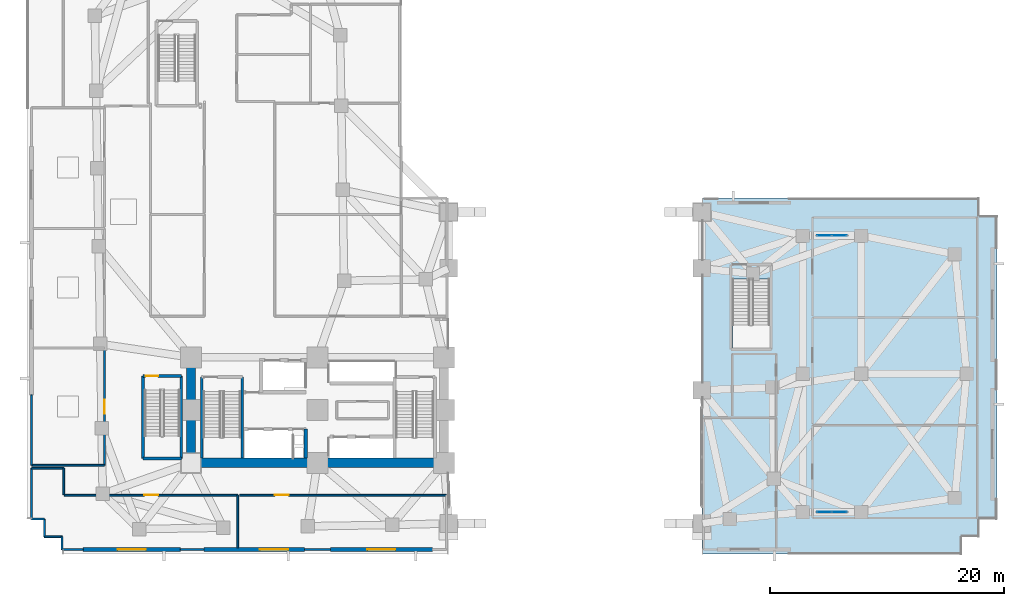
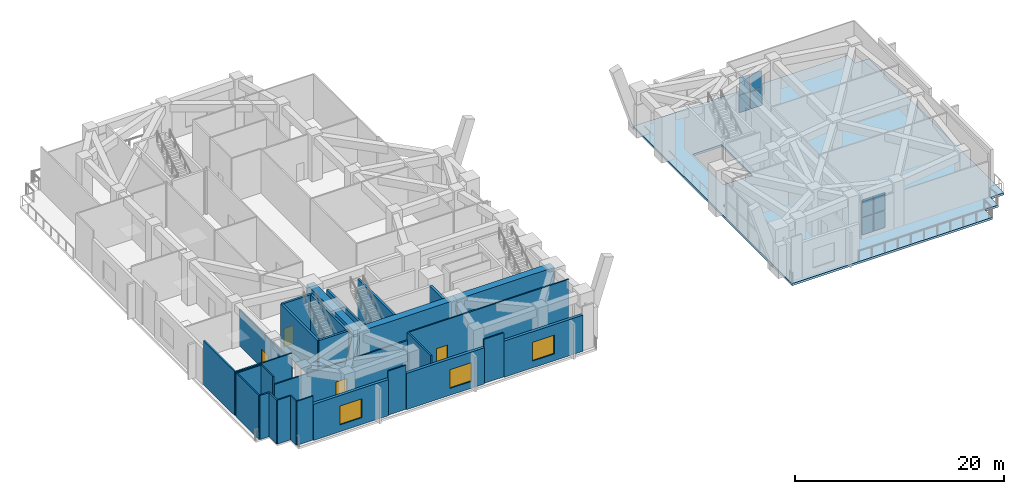
# One storey, part 7 of 18: 29 walls, 8 plates, 4 doors, 3 windows, 1 slab, 7 openings, 2 elements without a shape of their own.
"""IFC4 building model written with IfcOpenShell, lengths in metres."""

from ifc_helpers import new_model, si_unit, direction, frame, frame_2d, origin, origin_2d, place, context, subcontext, project, spatial, polyline, rectangle, outline, extrude, material, layer, layer_set, type_object, element, fill, aggregate, save


model = new_model("IFC4")

# Units and contexts
model_context = context("Model", 3, precision=1e-05, world=origin(), true_north=direction((0.0, 1.0)))
body_context = subcontext(model_context, "Body", "Model", "MODEL_VIEW")
ifc_project = project(units=[si_unit("LENGTHUNIT", "METRE"), si_unit("AREAUNIT", "SQUARE_METRE"), si_unit("VOLUMEUNIT", "CUBIC_METRE"), si_unit("PLANEANGLEUNIT", "RADIAN"), si_unit("MASSUNIT", "GRAM", prefix="KILO")], contexts=[model_context])

# Site, building, storey
site_placement = place(None, origin())
site = spatial("IfcSite", under=ifc_project, at=site_placement, CompositionType="ELEMENT")
building_placement = place(site_placement, origin())
building = spatial("IfcBuilding", under=site, at=building_placement, Name="Gaonmaruhae Medical Tower", CompositionType="ELEMENT")
storey_placement = place(building_placement, frame((0.0, 0.0, 5.39990234375)))
storey = spatial("IfcBuildingStorey", under=building, at=storey_placement, Name="L01", CompositionType="ELEMENT", Elevation=5.39990234375)

# Curtain wall, plates
ifc_material_1 = material(Name="Anodised aluminium and Low-E double glazing", Category="aluminium")
curtain_wall_type = type_object("IfcCurtainWallType", Name="CW-S6 Podium Diagnostic Atrium Curtain Wall", PredefinedType="NOTDEFINED", material=ifc_material_1)
curtain_wall_1_placement = place(storey_placement, origin())
curtain_wall_1 = element("IfcCurtainWall", 1, at=curtain_wall_1_placement, inside=storey, type_object=curtain_wall_type, Name="L01 Curtain Wall CW-L01-S6A", PredefinedType="NOTDEFINED")
ifc_material_2 = material(Name="Low-E double solar glass", Category="glass")
ifc_layer_1 = layer(ifc_material_2, 0.028076171875)
ifc_layer_set_1 = layer_set([ifc_layer_1], Name="Low-E double solar glass")
plate_type = type_object("IfcPlateType", Name="CWP-V1 Low-E Double Vision Glazing Panel", PredefinedType="CURTAIN_PANEL", material=ifc_layer_set_1)
plate_1_placement = place(storey_placement, frame((68.052734375, 27.199951171875, 0.0751953125), z_axis=(0.0, 0.0, 1.0), x_axis=(1.0, 0.0, 0.0)))
plate_1 = element("IfcPlate", 2, at=plate_1_placement, type_object=plate_type, Name="CW-S6 panel 1.1", PredefinedType="CURTAIN_PANEL", context=body_context, shape_type="SweptSolid", body=[
    extrude(rectangle(XDim=1.229248046875, YDim=0.028076171875, at=origin_2d()), origin(), (0.0, 0.0, 1.0), 2.00244140625),
])
plate_2_placement = place(storey_placement, frame((68.052734375, 27.199951171875, 2.152587890625), z_axis=(0.0, 0.0, 1.0), x_axis=(1.0, 0.0, 0.0)))
plate_2 = element("IfcPlate", 3, at=plate_2_placement, type_object=plate_type, Name="CW-S6 panel 1.2", PredefinedType="CURTAIN_PANEL", context=body_context, shape_type="SweptSolid", body=[
    extrude(rectangle(XDim=1.229248046875, YDim=0.028076171875, at=origin_2d()), origin(), (0.0, 0.0, 1.0), 2.00244140625),
])
plate_3_placement = place(storey_placement, frame((69.34716796875, 27.199951171875, 0.0751953125), z_axis=(0.0, 0.0, 1.0), x_axis=(1.0, 0.0, 0.0)))
plate_3 = element("IfcPlate", 4, at=plate_3_placement, type_object=plate_type, Name="CW-S6 panel 2.1", PredefinedType="CURTAIN_PANEL", context=body_context, shape_type="SweptSolid", body=[
    extrude(rectangle(XDim=1.229248046875, YDim=0.028076171875, at=origin_2d()), origin(), (0.0, 0.0, 1.0), 2.00244140625),
])
plate_4_placement = place(storey_placement, frame((69.34716796875, 27.199951171875, 2.152587890625), z_axis=(0.0, 0.0, 1.0), x_axis=(1.0, 0.0, 0.0)))
plate_4 = element("IfcPlate", 5, at=plate_4_placement, type_object=plate_type, Name="CW-S6 panel 2.2", PredefinedType="CURTAIN_PANEL", context=body_context, shape_type="SweptSolid", body=[
    extrude(rectangle(XDim=1.229248046875, YDim=0.028076171875, at=origin_2d()), origin(), (0.0, 0.0, 1.0), 2.00244140625),
])
aggregate(curtain_wall_1, [plate_1, plate_2, plate_3, plate_4])

curtain_wall_2_placement = place(storey_placement, origin())
curtain_wall_2 = element("IfcCurtainWall", 6, at=curtain_wall_2_placement, inside=storey, type_object=curtain_wall_type, Name="L01 Curtain Wall CW-L01-S6B", PredefinedType="NOTDEFINED")
plate_5_placement = place(storey_placement, frame((68.052734375, 3.60009765625, 0.0751953125), z_axis=(0.0, 0.0, 1.0), x_axis=(1.0, 0.0, 0.0)))
plate_5 = element("IfcPlate", 7, at=plate_5_placement, type_object=plate_type, Name="CW-S6 panel 1.1", PredefinedType="CURTAIN_PANEL", context=body_context, shape_type="SweptSolid", body=[
    extrude(rectangle(XDim=1.229248046875, YDim=0.028076171875, at=origin_2d()), origin(), (0.0, 0.0, 1.0), 2.00244140625),
])
plate_6_placement = place(storey_placement, frame((68.052734375, 3.60009765625, 2.152587890625), z_axis=(0.0, 0.0, 1.0), x_axis=(1.0, 0.0, 0.0)))
plate_6 = element("IfcPlate", 8, at=plate_6_placement, type_object=plate_type, Name="CW-S6 panel 1.2", PredefinedType="CURTAIN_PANEL", context=body_context, shape_type="SweptSolid", body=[
    extrude(rectangle(XDim=1.229248046875, YDim=0.028076171875, at=origin_2d()), origin(), (0.0, 0.0, 1.0), 2.00244140625),
])
plate_7_placement = place(storey_placement, frame((69.34716796875, 3.60009765625, 0.0751953125), z_axis=(0.0, 0.0, 1.0), x_axis=(1.0, 0.0, 0.0)))
plate_7 = element("IfcPlate", 9, at=plate_7_placement, type_object=plate_type, Name="CW-S6 panel 2.1", PredefinedType="CURTAIN_PANEL", context=body_context, shape_type="SweptSolid", body=[
    extrude(rectangle(XDim=1.229248046875, YDim=0.028076171875, at=origin_2d()), origin(), (0.0, 0.0, 1.0), 2.00244140625),
])
plate_8_placement = place(storey_placement, frame((69.34716796875, 3.60009765625, 2.152587890625), z_axis=(0.0, 0.0, 1.0), x_axis=(1.0, 0.0, 0.0)))
plate_8 = element("IfcPlate", 10, at=plate_8_placement, type_object=plate_type, Name="CW-S6 panel 2.2", PredefinedType="CURTAIN_PANEL", context=body_context, shape_type="SweptSolid", body=[
    extrude(rectangle(XDim=1.229248046875, YDim=0.028076171875, at=origin_2d()), origin(), (0.0, 0.0, 1.0), 2.00244140625),
])
aggregate(curtain_wall_2, [plate_5, plate_6, plate_7, plate_8])

# Slab
ifc_material_3 = material(Name="Concrete C40/50", Category="concrete")
ifc_layer_2 = layer(ifc_material_3, 0.25)
ifc_layer_set_2 = layer_set([ifc_layer_2], Name="Concrete C40/50")
slab_type = type_object("IfcSlabType", Name="FS-250 Podium & Basement Floor Slab", PredefinedType="FLOOR", material=ifc_layer_set_2)
slab_placement = place(storey_placement, frame((0.0, 0.0, -0.25)))
element("IfcSlab", 11, at=slab_placement, inside=storey, type_object=slab_type, Name="L01 Structural Slab 2", PredefinedType="FLOOR", context=body_context, shape_type="SweptSolid", body=[
    extrude(outline(polyline([(81.300048828125, 30.39990234375), (81.300048828125, 28.89990234375), (82.800048828125, 28.89990234375), (82.800048828125, 3.0), (81.300048828125, 3.0), (81.300048828125, 1.5), (79.800048828125, 1.5), (79.800048828125, 0.0), (57.60009765625, 0.0), (57.60009765625, 30.39990234375), (81.300048828125, 30.39990234375)]), holes=[polyline([(63.39990234375, 23.489990234375), (63.39990234375, 17.60009765625), (60.199951171875, 17.60009765625), (60.199951171875, 23.489990234375), (63.39990234375, 23.489990234375)])]), origin(), (0.0, 0.0, 1.0), 0.25),
])

# Walls
ifc_material_4 = material(Name="Concrete C60/75", Category="concrete")
ifc_layer_3 = layer(ifc_material_4, 0.800048828125)
ifc_layer_set_3 = layer_set([ifc_layer_3], Name="Concrete C60/75")
wall_type_1 = type_object("IfcWallType", Name="CW-800 Lower Core Shear Wall", PredefinedType="SHEAR", material=ifc_layer_set_3)
for number, where, z_axis, x_axis, name in (
    (12, (14.0, 7.800048828125, 0.0), (0.0, 0.0, 1.0), (1.0, 0.0, 0.0), "L01 Core Shear Wall CSW-S1"),
    (13, (24.800048828125, 7.800048828125, 0.0), (0.0, 0.0, 1.0), (1.0, 0.0, 0.0), "L01 Core Shear Wall CSW-S2"),
):
    element("IfcWall", number, at=place(storey_placement, frame(where, z_axis=z_axis, x_axis=x_axis)), inside=storey, type_object=wall_type_1, Name=name, PredefinedType="SHEAR", context=body_context, shape_type="SweptSolid", body=[
        extrude(rectangle(XDim=10.800048828125, YDim=0.800048828125, at=frame_2d((5.39990234375, 0.0))), origin(), (0.0, 0.0, 1.0), 5.150146484375),
    ])
wall_1_placement = place(storey_placement, frame((14.0, 16.800048828125, 0.0), z_axis=(0.0, 0.0, 1.0), x_axis=(0.0, -1.0, 0.0)))
element("IfcWall", 14, at=wall_1_placement, inside=storey, type_object=wall_type_1, Name="L01 Core Shear Wall CSW-W1", PredefinedType="SHEAR", context=body_context, shape_type="SweptSolid", body=[
    extrude(rectangle(XDim=9.0, YDim=0.800048828125, at=frame_2d((4.5, 0.0))), origin(), (0.0, 0.0, 1.0), 5.150146484375),
])

# Wall, opening, window
ifc_material_5 = material(Name="Precast concrete C45/55", Category="concrete")
ifc_layer_4 = layer(ifc_material_5, 0.320068359375)
ifc_layer_set_4 = layer_set([ifc_layer_4], Name="Precast concrete C45/55")
wall_type_2 = type_object("IfcWallType", Name="EW-320 Lower Precast Masonry-Frame Facade Wall", PredefinedType="SOLIDWALL", material=ifc_layer_set_4)
wall_2_placement = place(storey_placement, frame((13.10009765625, 0.39990234375, 0.0), z_axis=(0.0, 0.0, 1.0), x_axis=(-1.0, 0.0, 0.0)))
wall_2 = element("IfcWall", 15, at=wall_2_placement, inside=storey, type_object=wall_type_2, Name="L01 Precast Facade Wall PB-S1", PredefinedType="SOLIDWALL", context=body_context, shape_type="SweptSolid", body=[
    extrude(rectangle(XDim=8.300048828125, YDim=0.320068359375, at=frame_2d((4.14990234375, 0.0))), origin(), (0.0, 0.0, 1.0), 4.22998046875),
])
opening_1_placement = place(wall_2_placement, frame((2.949951171875, 0.0, 0.800048828125)))
opening_1 = element("IfcOpeningElement", 16, at=opening_1_placement, cuts=wall_2, Name="Opening WN-06", PredefinedType="OPENING", context=body_context, shape_type="SweptSolid", body=[
    extrude(rectangle(XDim=2.39990234375, YDim=2.199951171875, at=frame_2d((1.199951171875, 1.10009765625))), frame((0.0, 0.169921875, 0.0), z_axis=(0.0, -1.0, 0.0), x_axis=(1.0, 0.0, 0.0)), (0.0, 0.0, 1.0), 0.340087890625),
])
window_type = type_object("IfcWindowType", Name="WN-06 Podium Diagnostic Punched Window 2400x2200", PartitioningType="SINGLE_PANEL", PredefinedType="WINDOW", material=ifc_material_1)
window_1_placement = place(opening_1_placement, origin())
window_1 = element("IfcWindow", 17, at=window_1_placement, inside=storey, type_object=window_type, Name="L01 Podium Punched Window PB-S1", OverallHeight=2.199951171875, OverallWidth=2.39990234375, PartitioningType="SINGLE_PANEL", PredefinedType="WINDOW", context=body_context, shape_type="SweptSolid", body=[
    extrude(rectangle(XDim=2.39990234375, YDim=2.199951171875, at=frame_2d((1.199951171875, 1.10009765625))), frame((0.0, 0.030029296875, 0.0), z_axis=(0.0, -1.0, 0.0), x_axis=(1.0, 0.0, 0.0)), (0.0, 0.0, 1.0), 0.06005859375),
])
fill(opening_1, window_1)

wall_3_placement = place(storey_placement, frame((23.699951171875, 0.39990234375, 0.0), z_axis=(0.0, 0.0, 1.0), x_axis=(-1.0, 0.0, 0.0)))
wall_3 = element("IfcWall", 18, at=wall_3_placement, inside=storey, type_object=wall_type_2, Name="L01 Precast Facade Wall PB-S2", PredefinedType="SOLIDWALL", context=body_context, shape_type="SweptSolid", body=[
    extrude(rectangle(XDim=8.599853515625, YDim=0.320068359375, at=frame_2d((4.2998046875, 0.0))), origin(), (0.0, 0.0, 1.0), 4.22998046875),
])
opening_2_placement = place(wall_3_placement, frame((1.409912109375, 0.0, 0.800048828125)))
opening_2 = element("IfcOpeningElement", 19, at=opening_2_placement, cuts=wall_3, Name="Opening WN-06", PredefinedType="OPENING", context=body_context, shape_type="SweptSolid", body=[
    extrude(rectangle(XDim=2.39990234375, YDim=2.199951171875, at=frame_2d((1.199951171875, 1.10009765625))), frame((0.0, 0.169921875, 0.0), z_axis=(0.0, -1.0, 0.0), x_axis=(1.0, 0.0, 0.0)), (0.0, 0.0, 1.0), 0.340087890625),
])
window_2_placement = place(opening_2_placement, origin())
window_2 = element("IfcWindow", 20, at=window_2_placement, inside=storey, type_object=window_type, Name="L01 Podium Punched Window PB-S2", OverallHeight=2.199951171875, OverallWidth=2.39990234375, PartitioningType="SINGLE_PANEL", PredefinedType="WINDOW", context=body_context, shape_type="SweptSolid", body=[
    extrude(rectangle(XDim=2.39990234375, YDim=2.199951171875, at=frame_2d((1.199951171875, 1.10009765625))), frame((0.0, 0.030029296875, 0.0), z_axis=(0.0, -1.0, 0.0), x_axis=(1.0, 0.0, 0.0)), (0.0, 0.0, 1.0), 0.06005859375),
])
fill(opening_2, window_2)

wall_4_placement = place(storey_placement, frame((34.60009765625, 0.39990234375, 0.0), z_axis=(0.0, 0.0, 1.0), x_axis=(-1.0, 0.0, 0.0)))
wall_4 = element("IfcWall", 21, at=wall_4_placement, inside=storey, type_object=wall_type_2, Name="L01 Precast Facade Wall PB-S3", PredefinedType="SOLIDWALL", context=body_context, shape_type="SweptSolid", body=[
    extrude(rectangle(XDim=8.7001953125, YDim=0.320068359375, at=frame_2d((4.35009765625, 0.0))), origin(), (0.0, 0.0, 1.0), 4.22998046875),
])
opening_3_placement = place(wall_4_placement, frame((3.14990234375, 0.0, 0.800048828125)))
opening_3 = element("IfcOpeningElement", 22, at=opening_3_placement, cuts=wall_4, Name="Opening WN-06", PredefinedType="OPENING", context=body_context, shape_type="SweptSolid", body=[
    extrude(rectangle(XDim=2.39990234375, YDim=2.199951171875, at=frame_2d((1.199951171875, 1.10009765625))), frame((0.0, 0.169921875, 0.0), z_axis=(0.0, -1.0, 0.0), x_axis=(1.0, 0.0, 0.0)), (0.0, 0.0, 1.0), 0.340087890625),
])
window_3_placement = place(opening_3_placement, origin())
window_3 = element("IfcWindow", 23, at=window_3_placement, inside=storey, type_object=window_type, Name="L01 Podium Punched Window PB-S3", OverallHeight=2.199951171875, OverallWidth=2.39990234375, PartitioningType="SINGLE_PANEL", PredefinedType="WINDOW", context=body_context, shape_type="SweptSolid", body=[
    extrude(rectangle(XDim=2.39990234375, YDim=2.199951171875, at=frame_2d((1.199951171875, 1.10009765625))), frame((0.0, 0.030029296875, 0.0), z_axis=(0.0, -1.0, 0.0), x_axis=(1.0, 0.0, 0.0)), (0.0, 0.0, 1.0), 0.06005859375),
])
fill(opening_3, window_3)

# Wall, opening, door
ifc_material_6 = material(Name="Gypsum board partition", Category="gypsum")
ifc_layer_5 = layer(ifc_material_6, 0.14990234375)
ifc_layer_set_5 = layer_set([ifc_layer_5], Name="Gypsum board partition")
wall_type_3 = type_object("IfcWallType", Name="PW-150 Rated Clinical Corridor Partition", PredefinedType="PARTITIONING", material=ifc_layer_set_5)
wall_5_placement = place(storey_placement, frame((6.6201171875, 17.60009765625, 0.0), z_axis=(0.0, 0.0, 1.0), x_axis=(0.0, -1.0, 0.0)))
wall_5 = element("IfcWall", 24, at=wall_5_placement, inside=storey, type_object=wall_type_3, Name="L01 Interior Partition L01-WP1-6", PredefinedType="PARTITIONING", context=body_context, shape_type="SweptSolid", body=[
    extrude(rectangle(XDim=10.0, YDim=0.14990234375, at=frame_2d((5.0, 0.0))), origin(), (0.0, 0.0, 1.0), 4.235107421875),
])
opening_4_placement = place(wall_5_placement, frame((4.39990234375, 0.0, 0.0)))
opening_4 = element("IfcOpeningElement", 25, at=opening_4_placement, cuts=wall_5, Name="Opening CD-02", PredefinedType="OPENING", context=body_context, shape_type="SweptSolid", body=[
    extrude(rectangle(XDim=1.199951171875, YDim=2.14990234375, at=frame_2d((0.60009765625, 1.074951171875))), frame((0.0, 0.0849609375, 0.0), z_axis=(0.0, -1.0, 0.0), x_axis=(1.0, 0.0, 0.0)), (0.0, 0.0, 1.0), 0.169921875),
])
ifc_material_7 = material(Name="Antimicrobial laminate timber fire door", Category="wood")
door_type_1 = type_object("IfcDoorType", Name="CD-02 Clinical Treatment & Procedure Door 1200x2150", OperationType="NOTDEFINED", PredefinedType="DOOR", material=ifc_material_7)
door_1_placement = place(opening_4_placement, origin())
door_1 = element("IfcDoor", 26, at=door_1_placement, inside=storey, type_object=door_type_1, Name="L01 L01 Outpatient Consultation Clinic A Door", OperationType="SINGLE_SWING_LEFT", OverallHeight=2.14990234375, OverallWidth=1.199951171875, PredefinedType="DOOR", context=body_context, shape_type="SweptSolid", body=[
    extrude(rectangle(XDim=1.199951171875, YDim=2.14990234375, at=frame_2d((0.60009765625, 1.074951171875))), frame((0.0, 0.02490234375, 0.0), z_axis=(0.0, -1.0, 0.0), x_axis=(1.0, 0.0, 0.0)), (0.0, 0.0, 1.0), 0.050048828125),
])
fill(opening_4, door_1)

# Walls
wall_6_placement = place(storey_placement, frame((6.6201171875, 7.60009765625, 0.0), z_axis=(0.0, 0.0, 1.0), x_axis=(-1.0, 0.0, 0.0)))
element("IfcWall", 27, at=wall_6_placement, inside=storey, type_object=wall_type_3, Name="L01 Interior Partition L01-WP1-7", PredefinedType="PARTITIONING", context=body_context, shape_type="SweptSolid", body=[
    extrude(rectangle(XDim=6.22021484375, YDim=0.14990234375, at=frame_2d((3.110107421875, 0.0))), origin(), (0.0, 0.0, 1.0), 5.150146484375),
])
wall_7_placement = place(storey_placement, frame((0.39990234375, 7.60009765625, 0.0), z_axis=(0.0, 0.0, 1.0), x_axis=(0.0, 1.0, 0.0)))
element("IfcWall", 28, at=wall_7_placement, inside=storey, type_object=wall_type_3, Name="L01 Interior Partition L01-WP1-8", PredefinedType="PARTITIONING", context=body_context, shape_type="SweptSolid", body=[
    extrude(rectangle(XDim=6.0, YDim=0.14990234375, at=frame_2d((3.0, 0.0))), origin(), (0.0, 0.0, 1.0), 5.150146484375),
])

# Wall, opening, door
wall_8_placement = place(storey_placement, frame((3.199951171875, 5.0400390625, 0.0), z_axis=(0.0, 0.0, 1.0), x_axis=(1.0, 0.0, 0.0)))
wall_8 = element("IfcWall", 29, at=wall_8_placement, inside=storey, type_object=wall_type_3, Name="L01 Interior Partition L01-D1-37", PredefinedType="PARTITIONING", context=body_context, shape_type="SweptSolid", body=[
    extrude(rectangle(XDim=14.800048828125, YDim=0.14990234375, at=frame_2d((7.39990234375, 0.0))), origin(), (0.0, 0.0, 1.0), 4.235107421875),
])
opening_5_placement = place(wall_8_placement, frame((6.800048828125, 0.0, 0.0)))
opening_5 = element("IfcOpeningElement", 30, at=opening_5_placement, cuts=wall_8, Name="Opening CD-02", PredefinedType="OPENING", context=body_context, shape_type="SweptSolid", body=[
    extrude(rectangle(XDim=1.199951171875, YDim=2.14990234375, at=frame_2d((0.60009765625, 1.074951171875))), frame((0.0, 0.0849609375, 0.0), z_axis=(0.0, -1.0, 0.0), x_axis=(1.0, 0.0, 0.0)), (0.0, 0.0, 1.0), 0.169921875),
])
door_2_placement = place(opening_5_placement, origin())
door_2 = element("IfcDoor", 31, at=door_2_placement, inside=storey, type_object=door_type_1, Name="L01 Diagnostic MRI Imaging Suite Door", OperationType="SINGLE_SWING_LEFT", OverallHeight=2.14990234375, OverallWidth=1.199951171875, PredefinedType="DOOR", context=body_context, shape_type="SweptSolid", body=[
    extrude(rectangle(XDim=1.199951171875, YDim=2.14990234375, at=frame_2d((0.60009765625, 1.074951171875))), frame((0.0, 0.02490234375, 0.0), z_axis=(0.0, -1.0, 0.0), x_axis=(1.0, 0.0, 0.0)), (0.0, 0.0, 1.0), 0.050048828125),
])
fill(opening_5, door_2)

# Walls
wall_9_placement = place(storey_placement, frame((18.0, 5.0400390625, 0.0), z_axis=(0.0, 0.0, 1.0), x_axis=(0.0, -1.0, 0.0)))
element("IfcWall", 32, at=wall_9_placement, inside=storey, type_object=wall_type_3, Name="L01 Interior Partition L01-D1-38", PredefinedType="PARTITIONING", context=body_context, shape_type="SweptSolid", body=[
    extrude(rectangle(XDim=4.505126953125, YDim=0.14990234375, at=frame_2d((2.25244140625, 0.0))), origin(), (0.0, 0.0, 1.0), 5.150146484375),
])
wall_10_placement = place(storey_placement, frame((15.10009765625, 0.39990234375, 0.0), z_axis=(0.0, 0.0, 1.0), x_axis=(-1.0, 0.0, 0.0)))
element("IfcWall", 33, at=wall_10_placement, inside=storey, type_object=wall_type_3, Name="L01 Interior Partition L01-D1-39", PredefinedType="PARTITIONING", context=body_context, shape_type="SweptSolid", body=[
    extrude(rectangle(XDim=2.0, YDim=0.14990234375, at=frame_2d((1.0, 0.0))), origin(), (0.0, 0.0, 1.0), 5.150146484375),
])
wall_11_placement = place(storey_placement, frame((4.800048828125, 0.39990234375, 0.0), z_axis=(0.0, 0.0, 1.0), x_axis=(-1.0, 0.0, 0.0)))
element("IfcWall", 34, at=wall_11_placement, inside=storey, type_object=wall_type_3, Name="L01 Interior Partition L01-D1-40", PredefinedType="PARTITIONING", context=body_context, shape_type="SweptSolid", body=[
    extrude(rectangle(XDim=1.800048828125, YDim=0.14990234375, at=frame_2d((0.89990234375, 0.0))), origin(), (0.0, 0.0, 1.0), 5.150146484375),
])
wall_12_placement = place(storey_placement, frame((3.0, 0.39990234375, 0.0), z_axis=(0.0, 0.0, 1.0), x_axis=(0.0, 1.0, 0.0)))
element("IfcWall", 35, at=wall_12_placement, inside=storey, type_object=wall_type_3, Name="L01 Interior Partition L01-D1-41", PredefinedType="PARTITIONING", context=body_context, shape_type="SweptSolid", body=[
    extrude(rectangle(XDim=1.10009765625, YDim=0.14990234375, at=frame_2d((0.550048828125, 0.0))), origin(), (0.0, 0.0, 1.0), 5.150146484375),
])
for number, where, z_axis, x_axis, name in (
    (36, (3.0, 1.5, 0.0), (0.0, 0.0, 1.0), (-1.0, 0.0, 0.0), "L01 Interior Partition L01-D1-42"),
    (37, (1.5, 1.5, 0.0), (0.0, 0.0, 1.0), (0.0, 1.0, 0.0), "L01 Interior Partition L01-D1-43"),
):
    element("IfcWall", number, at=place(storey_placement, frame(where, z_axis=z_axis, x_axis=x_axis)), inside=storey, type_object=wall_type_3, Name=name, PredefinedType="PARTITIONING", context=body_context, shape_type="SweptSolid", body=[
        extrude(rectangle(XDim=1.5, YDim=0.14990234375, at=frame_2d((0.75, 0.0))), origin(), (0.0, 0.0, 1.0), 5.150146484375),
    ])
wall_13_placement = place(storey_placement, frame((1.5, 3.0, 0.0), z_axis=(0.0, 0.0, 1.0), x_axis=(-1.0, 0.0, 0.0)))
element("IfcWall", 38, at=wall_13_placement, inside=storey, type_object=wall_type_3, Name="L01 Interior Partition L01-D1-44", PredefinedType="PARTITIONING", context=body_context, shape_type="SweptSolid", body=[
    extrude(rectangle(XDim=1.10009765625, YDim=0.14990234375, at=frame_2d((0.550048828125, 0.0))), origin(), (0.0, 0.0, 1.0), 5.150146484375),
])
wall_14_placement = place(storey_placement, frame((0.39990234375, 3.0, 0.0), z_axis=(0.0, 0.0, 1.0), x_axis=(0.0, 1.0, 0.0)))
element("IfcWall", 39, at=wall_14_placement, inside=storey, type_object=wall_type_3, Name="L01 Interior Partition L01-D1-45", PredefinedType="PARTITIONING", context=body_context, shape_type="SweptSolid", body=[
    extrude(rectangle(XDim=4.35009765625, YDim=0.14990234375, at=frame_2d((2.175048828125, 0.0))), origin(), (0.0, 0.0, 1.0), 5.150146484375),
])
wall_15_placement = place(storey_placement, frame((0.39990234375, 7.35009765625, 0.0), z_axis=(0.0, 0.0, 1.0), x_axis=(1.0, 0.0, 0.0)))
element("IfcWall", 40, at=wall_15_placement, inside=storey, type_object=wall_type_3, Name="L01 Interior Partition L01-D1-46", PredefinedType="PARTITIONING", context=body_context, shape_type="SweptSolid", body=[
    extrude(rectangle(XDim=2.739990234375, YDim=0.14990234375, at=frame_2d((1.3701171875, 0.0))), origin(), (0.0, 0.0, 1.0), 5.150146484375),
])
wall_16_placement = place(storey_placement, frame((3.139892578125, 7.35009765625, 0.0), z_axis=(0.0, 0.0, 1.0), x_axis=(0.0, -1.0, 0.0)))
element("IfcWall", 41, at=wall_16_placement, inside=storey, type_object=wall_type_3, Name="L01 Interior Partition L01-D1-47", PredefinedType="PARTITIONING", context=body_context, shape_type="SweptSolid", body=[
    extrude(rectangle(XDim=2.256103515625, YDim=0.14990234375, at=frame_2d((1.1279296875, 0.0))), origin(), (0.0, 0.0, 1.0), 5.150146484375),
])
wall_17_placement = place(storey_placement, frame((25.89990234375, 0.39990234375, 0.0), z_axis=(0.0, 0.0, 1.0), x_axis=(-1.0, 0.0, 0.0)))
element("IfcWall", 42, at=wall_17_placement, inside=storey, type_object=wall_type_3, Name="L01 Interior Partition L01-D2-49", PredefinedType="PARTITIONING", context=body_context, shape_type="SweptSolid", body=[
    extrude(rectangle(XDim=2.199951171875, YDim=0.14990234375, at=frame_2d((1.10009765625, 0.0))), origin(), (0.0, 0.0, 1.0), 5.150146484375),
])

# Wall, opening, door
wall_18_placement = place(storey_placement, frame((18.14990234375, 5.0400390625, 0.0), z_axis=(0.0, 0.0, 1.0), x_axis=(1.0, 0.0, 0.0)))
wall_18 = element("IfcWall", 43, at=wall_18_placement, inside=storey, type_object=wall_type_3, Name="L01 Interior Partition L01-D2-50", PredefinedType="PARTITIONING", context=body_context, shape_type="SweptSolid", body=[
    extrude(rectangle(XDim=17.650146484375, YDim=0.14990234375, at=frame_2d((8.8251953125, 0.0))), origin(), (0.0, 0.0, 1.0), 5.150146484375),
])
opening_6_placement = place(wall_18_placement, frame((2.981201171875, 0.0, 0.0)))
opening_6 = element("IfcOpeningElement", 44, at=opening_6_placement, cuts=wall_18, Name="Opening CD-02", PredefinedType="OPENING", context=body_context, shape_type="SweptSolid", body=[
    extrude(rectangle(XDim=1.199951171875, YDim=2.14990234375, at=frame_2d((0.60009765625, 1.074951171875))), frame((0.0, 0.0849609375, 0.0), z_axis=(0.0, -1.0, 0.0), x_axis=(1.0, 0.0, 0.0)), (0.0, 0.0, 1.0), 0.169921875),
])
door_3_placement = place(opening_6_placement, origin())
door_3 = element("IfcDoor", 45, at=door_3_placement, inside=storey, type_object=door_type_1, Name="L01 Computed Tomography Radiology Suite Door", OperationType="SINGLE_SWING_LEFT", OverallHeight=2.14990234375, OverallWidth=1.199951171875, PredefinedType="DOOR", context=body_context, shape_type="SweptSolid", body=[
    extrude(rectangle(XDim=1.199951171875, YDim=2.14990234375, at=frame_2d((0.60009765625, 1.074951171875))), frame((0.0, 0.02490234375, 0.0), z_axis=(0.0, -1.0, 0.0), x_axis=(1.0, 0.0, 0.0)), (0.0, 0.0, 1.0), 0.050048828125),
])
fill(opening_6, door_3)

# Walls
ifc_material_8 = material(Name="Concrete C50/60", Category="concrete")
ifc_layer_6 = layer(ifc_material_8, 0.239990234375)
ifc_layer_set_6 = layer_set([ifc_layer_6], Name="Concrete C50/60")
wall_type_4 = type_object("IfcWallType", Name="SW-240 Dogleg Stair Tight Shaft Wall", PredefinedType="SOLIDWALL", material=ifc_layer_set_6)
for number, where, z_axis, x_axis, name in (
    (46, (18.3798828125, 15.1201171875, 0.0), (0.0, 0.0, 1.0), (0.0, -1.0, 0.0), "L01 ST-01 Stair Shaft Wall SHW-ST-01-E"),
    (47, (14.919921875, 8.199951171875, 0.0), (0.0, 0.0, 1.0), (0.0, 1.0, 0.0), "L01 ST-01 Stair Shaft Wall SHW-ST-01-W"),
):
    element("IfcWall", number, at=place(storey_placement, frame(where, z_axis=z_axis, x_axis=x_axis)), inside=storey, type_object=wall_type_4, Name=name, PredefinedType="SOLIDWALL", context=body_context, shape_type="SweptSolid", body=[
        extrude(rectangle(XDim=6.920166015625, YDim=0.239990234375, at=frame_2d((3.4599609375, 0.0))), origin(), (0.0, 0.0, 1.0), 5.150146484375),
    ])

# Wall, opening, door
wall_19_placement = place(storey_placement, frame((9.919921875, 15.219970703125, 0.0), z_axis=(0.0, 0.0, 1.0), x_axis=(1.0, 0.0, 0.0)))
wall_19 = element("IfcWall", 48, at=wall_19_placement, inside=storey, type_object=wall_type_4, Name="L01 ST-03 Stair Shaft Wall SHW-ST-03-N", PredefinedType="SOLIDWALL", context=body_context, shape_type="SweptSolid", body=[
    extrude(rectangle(XDim=3.260009765625, YDim=0.239990234375, at=frame_2d((1.6298828125, 0.0))), origin(), (0.0, 0.0, 1.0), 5.150146484375),
])
opening_7_placement = place(wall_19_placement, frame((0.219970703125, 0.0, 0.0)))
opening_7 = element("IfcOpeningElement", 49, at=opening_7_placement, cuts=wall_19, Name="Opening FD-02", PredefinedType="OPENING", context=body_context, shape_type="SweptSolid", body=[
    extrude(rectangle(XDim=1.050048828125, YDim=2.14990234375, at=frame_2d((0.52490234375, 1.074951171875))), frame((0.0, 0.1298828125, 0.0), z_axis=(0.0, -1.0, 0.0), x_axis=(1.0, 0.0, 0.0)), (0.0, 0.0, 1.0), 0.260009765625),
])
ifc_material_9 = material(Name="Powder-coated steel fire door", Category="steel")
door_type_2 = type_object("IfcDoorType", Name="FD-02 Secondary Stair Fire Door 1050x2150", OperationType="NOTDEFINED", PredefinedType="DOOR", material=ifc_material_9)
door_4_placement = place(opening_7_placement, origin())
door_4 = element("IfcDoor", 50, at=door_4_placement, inside=storey, type_object=door_type_2, Name="L01 ST-03 Protected Escape Stair Door", OperationType="SINGLE_SWING_RIGHT", OverallHeight=2.14990234375, OverallWidth=1.050048828125, PredefinedType="DOOR", context=body_context, shape_type="SweptSolid", body=[
    extrude(rectangle(XDim=1.050048828125, YDim=2.14990234375, at=frame_2d((0.52490234375, 1.074951171875))), frame((0.0, 0.02490234375, 0.0), z_axis=(0.0, -1.0, 0.0), x_axis=(1.0, 0.0, 0.0)), (0.0, 0.0, 1.0), 0.050048828125),
])
fill(opening_7, door_4)

# Walls
wall_20_placement = place(storey_placement, frame((13.179931640625, 15.219970703125, 0.0), z_axis=(0.0, 0.0, 1.0), x_axis=(0.0, -1.0, 0.0)))
element("IfcWall", 51, at=wall_20_placement, inside=storey, type_object=wall_type_4, Name="L01 ST-03 Stair Shaft Wall SHW-ST-03-E", PredefinedType="SOLIDWALL", context=body_context, shape_type="SweptSolid", body=[
    extrude(rectangle(XDim=7.050048828125, YDim=0.239990234375, at=frame_2d((3.52490234375, 0.0))), origin(), (0.0, 0.0, 1.0), 5.150146484375),
])
wall_21_placement = place(storey_placement, frame((13.179931640625, 8.169921875, 0.0), z_axis=(0.0, 0.0, 1.0), x_axis=(-1.0, 0.0, 0.0)))
element("IfcWall", 52, at=wall_21_placement, inside=storey, type_object=wall_type_4, Name="L01 ST-03 Stair Shaft Wall SHW-ST-03-S", PredefinedType="SOLIDWALL", context=body_context, shape_type="SweptSolid", body=[
    extrude(rectangle(XDim=3.260009765625, YDim=0.239990234375, at=frame_2d((1.6298828125, 0.0))), origin(), (0.0, 0.0, 1.0), 5.150146484375),
])
wall_22_placement = place(storey_placement, frame((9.919921875, 8.169921875, 0.0), z_axis=(0.0, 0.0, 1.0), x_axis=(0.0, 1.0, 0.0)))
element("IfcWall", 53, at=wall_22_placement, inside=storey, type_object=wall_type_4, Name="L01 ST-03 Stair Shaft Wall SHW-ST-03-W", PredefinedType="SOLIDWALL", context=body_context, shape_type="SweptSolid", body=[
    extrude(rectangle(XDim=7.050048828125, YDim=0.239990234375, at=frame_2d((3.52490234375, 0.0))), origin(), (0.0, 0.0, 1.0), 5.150146484375),
])
ifc_layer_7 = layer(ifc_material_8, 0.300048828125)
ifc_layer_set_7 = layer_set([ifc_layer_7], Name="Concrete C50/60")
wall_type_5 = type_object("IfcWallType", Name="SW-300 Stair & Lift Hoistway Shaft Wall", PredefinedType="SOLIDWALL", material=ifc_layer_set_7)
wall_23_placement = place(storey_placement, frame((23.800048828125, 8.199951171875, 0.0), z_axis=(0.0, 0.0, 1.0), x_axis=(0.0, 1.0, 0.0)))
element("IfcWall", 54, at=wall_23_placement, inside=storey, type_object=wall_type_5, Name="L01 Shaft Enclosure Wall SHW-FFE", PredefinedType="SOLIDWALL", context=body_context, shape_type="SweptSolid", body=[
    extrude(rectangle(XDim=2.47998046875, YDim=0.300048828125, at=frame_2d((1.239990234375, 0.0))), origin(), (0.0, 0.0, 1.0), 5.150146484375),
])

save(model, "model.ifc")
